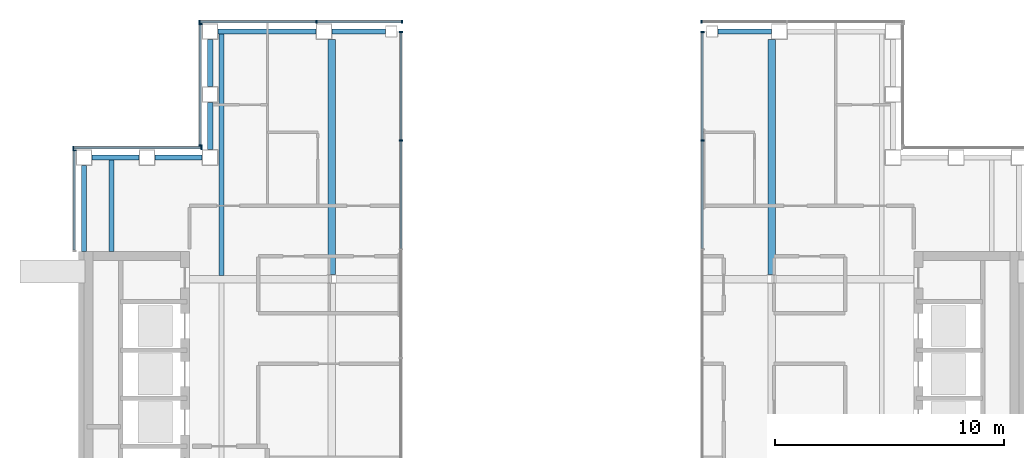
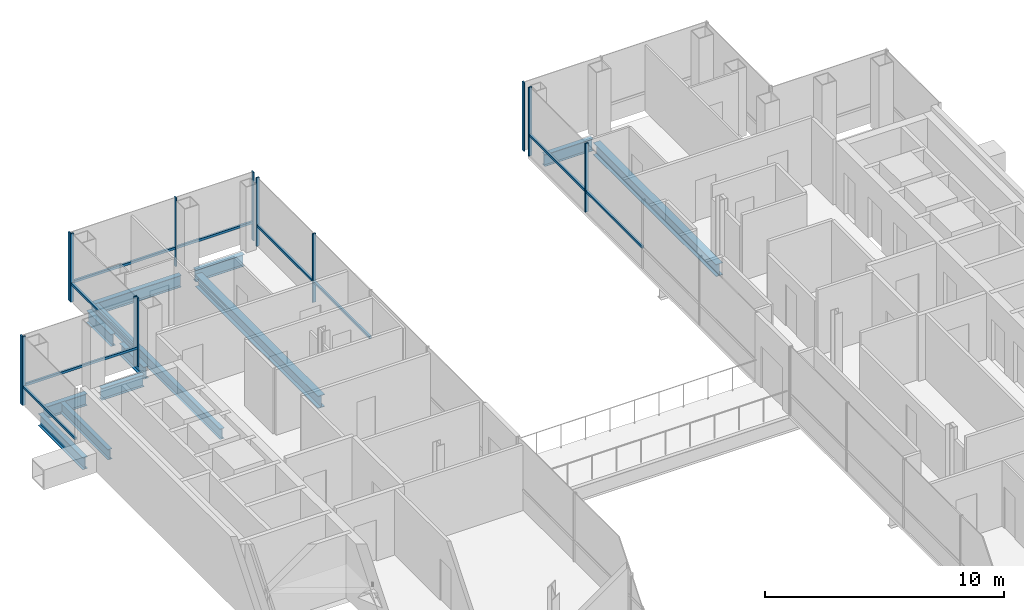
# One storey, part 8 of 16: 22 members, 12 beams, 7 elements without a shape of their own.
"""IFC4 building model written with IfcOpenShell, lengths in metres."""

import ifcopenshell
import ifcopenshell.guid

model = None  # the IFC model being written
_history = None  # IfcOwnerHistory: only IFC2X3 demands one
_inside = {}  # id of a spatial element -> (the spatial element, [elements in it])
_under = {}  # id of a project, library or spatial element -> (it, [spatial elements below it])
_declared = {}  # id of a project -> (the project, [libraries it declares])
_typed = {}  # id of a type object -> (the type object, [elements of that type])
_made_of = {}  # id of a material, layer set ... -> (it, [elements and type objects made of it])


def new_model(schema):
    """Start an empty IFC model of exactly this schema.

    Asked for "IFC4X3", IfcOpenShell would pick the latest addendum, in which some entities
    have other attributes; the version numbers below select the first issue.
    IFC2X3 requires an IfcOwnerHistory on every rooted entity: one is made here for all.
    """
    global model, _history
    if schema == "IFC4X3":
        model = ifcopenshell.file(schema_version=(4, 3, 0, 0))
    else:
        model = ifcopenshell.file(schema=schema)
    _inside.clear()
    _under.clear()
    _declared.clear()
    _typed.clear()
    _made_of.clear()
    _history = None
    if model.schema == "IFC2X3":
        org = make("IfcOrganization", Name="unknown")
        user = make(
            "IfcPersonAndOrganization",
            ThePerson=make("IfcPerson", FamilyName="unknown"),
            TheOrganization=org,
        )
        app = make(
            "IfcApplication",
            ApplicationDeveloper=org,
            Version="unknown",
            ApplicationFullName="unknown",
            ApplicationIdentifier="unknown",
        )
        _history = make(
            "IfcOwnerHistory",
            OwningUser=user,
            OwningApplication=app,
            ChangeAction="ADDED",
            CreationDate=0,
        )
    return model


def make(cls, **values):
    """One entity of the class cls with the attributes given. An attribute that is None is left unset."""
    return model.create_entity(
        cls, **{name: value for name, value in values.items() if value is not None}
    )


def rooted(cls, **values):
    """An entity with a GlobalId (a new one), such as an element, a storey or a relation."""
    return make(cls, GlobalId=ifcopenshell.guid.new(), OwnerHistory=_history, **values)


def si_unit(unit_type, name, prefix=None):
    """IfcSIUnit, for example si_unit("LENGTHUNIT", "METRE", prefix="MILLI")."""
    return make("IfcSIUnit", UnitType=unit_type, Prefix=prefix, Name=name)


def assignment(units):
    """IfcUnitAssignment: the units of a project."""
    return None if units is None else make("IfcUnitAssignment", Units=units)


def point(xyz):
    """IfcCartesianPoint."""
    return None if xyz is None else make("IfcCartesianPoint", Coordinates=xyz)


def direction(xyz):
    """IfcDirection."""
    return None if xyz is None else make("IfcDirection", DirectionRatios=xyz)


def frame(location, z_axis=None, x_axis=None):
    """IfcAxis2Placement3D, a coordinate frame: its origin and axes. An axis left out is left unset."""
    return make(
        "IfcAxis2Placement3D",
        Location=point(location),
        Axis=direction(z_axis),
        RefDirection=direction(x_axis),
    )


def frame_2d(location, x_axis=None):
    """IfcAxis2Placement2D, a coordinate frame in the plane: its origin and x axis."""
    return make(
        "IfcAxis2Placement2D", Location=point(location), RefDirection=direction(x_axis)
    )


def origin():
    """The frame at (0, 0, 0) with its axes left unset."""
    return frame((0.0, 0.0, 0.0))


def origin_2d():
    """The frame at (0, 0) in the plane with its x axis left unset."""
    return frame_2d((0.0, 0.0))


def place(relative_to, where):
    """IfcLocalPlacement: puts the frame where relative to a parent placement (None: the world)."""
    return make(
        "IfcLocalPlacement", PlacementRelTo=relative_to, RelativePlacement=where
    )


def context(
    kind, dimensions, precision=None, world=None, true_north=None, identifier=None
):
    """IfcGeometricRepresentationContext, for example the 3D "Model" context."""
    return make(
        "IfcGeometricRepresentationContext",
        ContextIdentifier=identifier,
        ContextType=kind,
        CoordinateSpaceDimension=dimensions,
        Precision=precision,
        WorldCoordinateSystem=world,
        TrueNorth=true_north,
    )


def subcontext(parent, identifier, kind, view, scale=None):
    """IfcGeometricRepresentationSubContext, for example "Body" below "Model"."""
    return make(
        "IfcGeometricRepresentationSubContext",
        ContextIdentifier=identifier,
        ContextType=kind,
        ParentContext=parent,
        TargetScale=scale,
        TargetView=view,
    )


def project(units=None, contexts=None):
    """IfcProject with its units and contexts."""
    return rooted(
        "IfcProject",
        Name="project",
        RepresentationContexts=contexts,
        UnitsInContext=assignment(units),
    )


def spatial(cls, under=None, at=None, **own):
    """A site, building, storey or space (cls), placed at a placement, below another one or the project."""
    s = rooted(cls, ObjectPlacement=at, **own)
    if under is not None:
        _under.setdefault(under.id(), (under, []))[1].append(s)
    return s


def profile(cls, at=None, kind="AREA", **sizes):
    """A parametric profile (cls). Its sizes go by their IFC names, for example OverallWidth=200.0."""
    return make(cls, ProfileType=kind, Position=at, **sizes)


def rectangle(**sizes):
    """IfcRectangleProfileDef."""
    return profile("IfcRectangleProfileDef", **sizes)


def i_section(**sizes):
    """IfcIShapeProfileDef."""
    return profile("IfcIShapeProfileDef", **sizes)


def extrude(swept, where, along, depth):
    """IfcExtrudedAreaSolid: the profile swept, set in the frame where, extruded along a direction by depth."""
    return make(
        "IfcExtrudedAreaSolid",
        SweptArea=swept,
        Position=where,
        ExtrudedDirection=direction(along),
        Depth=depth,
    )


def shape(context_of_items, identifier, shape_type, items):
    """IfcShapeRepresentation: the items that make up one representation, for example the "Body"."""
    return make(
        "IfcShapeRepresentation",
        ContextOfItems=context_of_items,
        RepresentationIdentifier=identifier,
        RepresentationType=shape_type,
        Items=items,
    )


def material(Name=None, Category=None):
    """IfcMaterial."""
    return make("IfcMaterial", Name=Name, Category=Category)


def material_profile(
    of_material, cross_section, Name=None, Category=None, Priority=None
):
    """IfcMaterialProfile: a cross section and its material."""
    return make(
        "IfcMaterialProfile",
        Name=Name,
        Material=of_material,
        Profile=cross_section,
        Priority=Priority,
        Category=Category,
    )


def profile_set(profiles, Name=None, composite=None):
    """IfcMaterialProfileSet."""
    return make(
        "IfcMaterialProfileSet",
        Name=Name,
        MaterialProfiles=profiles,
        CompositeProfile=composite,
    )


def made_of(thing, what):
    """Note that an element or type object is made of a material, layer set ...; save() writes the relation."""
    if what is not None:
        _made_of.setdefault(what.id(), (what, []))[1].append(thing)
    return thing


def type_object(cls, material=None, **own):
    """A type object (cls), such as IfcWallType, which elements share."""
    return made_of(rooted(cls, **own), material)


def element(
    cls,
    number,
    at=None,
    inside=None,
    cuts=None,
    type_object=None,
    material=None,
    context=None,
    identifier="Body",
    shape_type=None,
    held_by="IfcProductDefinitionShape",
    body=None,
    shapes=None,
    **own,
):
    """One element of the class cls, such as IfcWall. Its Tag is "e" and its number.

    at: its placement. inside: the storey or other place that contains it. cuts: it is an
    opening in that element (IfcRelVoidsElement). A single representation is given by context,
    identifier, shape_type and body (its items); several are given by shapes. held_by: the class
    of the entity that holds the representations. save() writes the other relations.
    """
    e = rooted(cls, Tag="e%d" % number, ObjectPlacement=at, **own)
    if body is not None:
        shapes = [shape(context, identifier, shape_type, body)]
    if shapes is not None:
        e.Representation = make(held_by, Representations=shapes)
    if inside is not None:
        _inside.setdefault(inside.id(), (inside, []))[1].append(e)
    if cuts is not None:
        rooted(
            "IfcRelVoidsElement", RelatingBuildingElement=cuts, RelatedOpeningElement=e
        )
    if type_object is not None:
        _typed.setdefault(type_object.id(), (type_object, []))[1].append(e)
    return made_of(e, material)


def aggregate(whole, parts):
    """IfcRelAggregates: a whole, such as a stair, and the parts it consists of."""
    return rooted("IfcRelAggregates", RelatingObject=whole, RelatedObjects=parts)


def save(model, path):
    """Write the relations noted so far, then the file.

    IfcRelAggregates (storeys below a building ...), IfcRelContainedInSpatialStructure (elements
    in a storey), IfcRelDefinesByType, IfcRelAssociatesMaterial and IfcRelDeclares: one each for
    every whole, place, type object, material and project.
    """
    for whole, parts in _under.values():
        aggregate(whole, parts)
    for where, things in _inside.values():
        rooted(
            "IfcRelContainedInSpatialStructure",
            RelatedElements=things,
            RelatingStructure=where,
        )
    for kind, things in _typed.values():
        rooted("IfcRelDefinesByType", RelatedObjects=things, RelatingType=kind)
    for what, things in _made_of.values():
        rooted("IfcRelAssociatesMaterial", RelatedObjects=things, RelatingMaterial=what)
    for by, libraries in _declared.values():
        rooted("IfcRelDeclares", RelatingContext=by, RelatedDefinitions=libraries)
    model.write(path)


model = new_model("IFC4")

# Units and contexts
model_context = context("Model", 3, precision=1e-05, world=origin(), true_north=direction((0.0, 1.0)))
body_context = subcontext(model_context, "Body", "Model", "MODEL_VIEW")
ifc_project = project(units=[si_unit("LENGTHUNIT", "METRE"), si_unit("AREAUNIT", "SQUARE_METRE"), si_unit("VOLUMEUNIT", "CUBIC_METRE"), si_unit("PLANEANGLEUNIT", "RADIAN"), si_unit("MASSUNIT", "GRAM", prefix="KILO")], contexts=[model_context])

# Site, building, storey
site_placement = place(None, origin())
site = spatial("IfcSite", under=ifc_project, at=site_placement, CompositionType="ELEMENT")
building_placement = place(site_placement, origin())
building = spatial("IfcBuilding", under=site, at=building_placement, Name="Cobrizo Arcos Hotel Tower", CompositionType="ELEMENT")
storey_placement = place(building_placement, frame((0.0, 0.0, 229.5)))
storey = spatial("IfcBuildingStorey", under=building, at=storey_placement, Name="L60", CompositionType="ELEMENT", Elevation=229.5)

# Curtain wall, member
ifc_material_1 = material(Name="Aluminium 6063-T6 anodised bronze", Category="aluminium")
curtain_wall_type_1 = type_object("IfcCurtainWallType", Name="CW-A guest facade", PredefinedType="NOTDEFINED", material=ifc_material_1)
curtain_wall_1_placement = place(storey_placement, origin())
curtain_wall_1 = element("IfcCurtainWall", 1, at=curtain_wall_1_placement, inside=storey, type_object=curtain_wall_type_1, Name="CW-A L60 N face", PredefinedType="NOTDEFINED")
ifc_material_profile_1 = material_profile(ifc_material_1, rectangle(XDim=0.14990234375, YDim=0.06005859375, at=origin_2d()), Name="CW-A mullion 150x60")
ifc_profile_set_1 = profile_set([ifc_material_profile_1], Name="Aluminium 6063-T6 anodised bronze")
member_type_1 = type_object("IfcMemberType", Name="CW-A mullion 150x60", PredefinedType="MULLION", material=ifc_profile_set_1)
member_1_placement = place(storey_placement, frame((6.530029296875, 20.824951171875, 0.0), z_axis=(0.0, 0.0, 1.0), x_axis=(0.0, 1.0, 0.0)))
member_1 = element("IfcMember", 2, at=member_1_placement, type_object=member_type_1, Name="CW-A mullion 3", PredefinedType="MULLION", context=body_context, shape_type="SweptSolid", body=[
    extrude(rectangle(XDim=0.14990234375, YDim=0.06005859375, at=origin_2d()), origin(), (0.0, 0.0, 1.0), 3.5),
])
aggregate(curtain_wall_1, [member_1])

# Curtain wall, members
curtain_wall_2_placement = place(storey_placement, origin())
curtain_wall_2 = element("IfcCurtainWall", 3, at=curtain_wall_2_placement, inside=storey, type_object=curtain_wall_type_1, Name="CW-A L60 N face", PredefinedType="NOTDEFINED")
member_2_placement = place(storey_placement, frame((-6.530029296875, 20.824951171875, 0.0), z_axis=(0.0, 0.0, 1.0), x_axis=(0.0, 1.0, 0.0)))
member_2 = element("IfcMember", 4, at=member_2_placement, type_object=member_type_1, Name="CW-A mullion 1", PredefinedType="MULLION", context=body_context, shape_type="SweptSolid", body=[
    extrude(rectangle(XDim=0.14990234375, YDim=0.06005859375, at=origin_2d()), origin(), (0.0, 0.0, 1.0), 3.5),
])
member_3_placement = place(storey_placement, frame((-10.2666015625, 20.824951171875, 0.0), z_axis=(0.0, 0.0, 1.0), x_axis=(0.0, 1.0, 0.0)))
member_3 = element("IfcMember", 5, at=member_3_placement, type_object=member_type_1, Name="CW-A mullion 2", PredefinedType="MULLION", context=body_context, shape_type="SweptSolid", body=[
    extrude(rectangle(XDim=0.14990234375, YDim=0.06005859375, at=origin_2d()), origin(), (0.0, 0.0, 1.0), 3.5),
])
member_4_placement = place(storey_placement, frame((-15.3701171875, 20.824951171875, 0.0), z_axis=(0.0, 0.0, 1.0), x_axis=(0.0, 1.0, 0.0)))
member_4 = element("IfcMember", 6, at=member_4_placement, type_object=member_type_1, Name="CW-A mullion 3", PredefinedType="MULLION", context=body_context, shape_type="SweptSolid", body=[
    extrude(rectangle(XDim=0.14990234375, YDim=0.06005859375, at=origin_2d()), origin(), (0.0, 0.0, 1.0), 3.5),
])

curtain_wall_3_placement = place(storey_placement, origin())
curtain_wall_3 = element("IfcCurtainWall", 7, at=curtain_wall_3_placement, inside=storey, type_object=curtain_wall_type_1, Name="CW-A L60 W face", PredefinedType="NOTDEFINED")
member_5_placement = place(storey_placement, frame((-15.324951171875, 20.719970703125, 0.0), z_axis=(0.0, 0.0, 1.0), x_axis=(-1.0, 0.0, 0.0)))
member_5 = element("IfcMember", 8, at=member_5_placement, type_object=member_type_1, Name="CW-A mullion 1", PredefinedType="MULLION", context=body_context, shape_type="SweptSolid", body=[
    extrude(rectangle(XDim=0.14990234375, YDim=0.06005859375, at=origin_2d()), origin(), (0.0, 0.0, 1.0), 3.5),
])
member_6_placement = place(storey_placement, frame((-15.324951171875, 15.429931640625, 0.0), z_axis=(0.0, 0.0, 1.0), x_axis=(-1.0, 0.0, 0.0)))
member_6 = element("IfcMember", 9, at=member_6_placement, type_object=member_type_1, Name="CW-A mullion 2", PredefinedType="MULLION", context=body_context, shape_type="SweptSolid", body=[
    extrude(rectangle(XDim=0.14990234375, YDim=0.06005859375, at=origin_2d()), origin(), (0.0, 0.0, 1.0), 3.5),
])

curtain_wall_4_placement = place(storey_placement, origin())
curtain_wall_4 = element("IfcCurtainWall", 10, at=curtain_wall_4_placement, inside=storey, type_object=curtain_wall_type_1, Name="CW-A L60 N face", PredefinedType="NOTDEFINED")
member_7_placement = place(storey_placement, frame((-15.280029296875, 15.324951171875, 0.0), z_axis=(0.0, 0.0, 1.0), x_axis=(0.0, 1.0, 0.0)))
member_7 = element("IfcMember", 11, at=member_7_placement, type_object=member_type_1, Name="CW-A mullion 1", PredefinedType="MULLION", context=body_context, shape_type="SweptSolid", body=[
    extrude(rectangle(XDim=0.14990234375, YDim=0.06005859375, at=origin_2d()), origin(), (0.0, 0.0, 1.0), 3.5),
])
member_8_placement = place(storey_placement, frame((-20.8701171875, 15.324951171875, 0.0), z_axis=(0.0, 0.0, 1.0), x_axis=(0.0, 1.0, 0.0)))
member_8 = element("IfcMember", 12, at=member_8_placement, type_object=member_type_1, Name="CW-A mullion 2", PredefinedType="MULLION", context=body_context, shape_type="SweptSolid", body=[
    extrude(rectangle(XDim=0.14990234375, YDim=0.06005859375, at=origin_2d()), origin(), (0.0, 0.0, 1.0), 3.5),
])

# Curtain wall, member
curtain_wall_5_placement = place(storey_placement, origin())
curtain_wall_5 = element("IfcCurtainWall", 13, at=curtain_wall_5_placement, inside=storey, type_object=curtain_wall_type_1, Name="CW-A L60 W face", PredefinedType="NOTDEFINED")
member_9_placement = place(storey_placement, frame((-20.824951171875, 15.219970703125, 0.0), z_axis=(0.0, 0.0, 1.0), x_axis=(-1.0, 0.0, 0.0)))
member_9 = element("IfcMember", 14, at=member_9_placement, type_object=member_type_1, Name="CW-A mullion 1", PredefinedType="MULLION", context=body_context, shape_type="SweptSolid", body=[
    extrude(rectangle(XDim=0.14990234375, YDim=0.06005859375, at=origin_2d()), origin(), (0.0, 0.0, 1.0), 3.5),
])

# Member
ifc_material_profile_2 = material_profile(ifc_material_1, rectangle(XDim=0.10009765625, YDim=0.1201171875, at=origin_2d()), Name="CW-A transom 120x100")
ifc_profile_set_2 = profile_set([ifc_material_profile_2], Name="Aluminium 6063-T6 anodised bronze")
member_type_2 = type_object("IfcMemberType", Name="CW-A transom 120x100", PredefinedType="USERDEFINED", material=ifc_profile_set_2)
member_10_placement = place(storey_placement, frame((-6.56005859375, 20.824951171875, 0.929931640625), z_axis=(-1.0, 0.0, 0.0), x_axis=(0.0, -1.0, 0.0)))
member_10 = element("IfcMember", 15, at=member_10_placement, type_object=member_type_2, Name="CW-A transom 1960", ObjectType="TRANSOM", PredefinedType="USERDEFINED", context=body_context, shape_type="SweptSolid", body=[
    extrude(rectangle(XDim=0.10009765625, YDim=0.1201171875, at=origin_2d()), origin(), (0.0, 0.0, 1.0), 3.676513671875),
])

member_11_placement = place(storey_placement, frame((-10.296630859375, 20.824951171875, 0.929931640625), z_axis=(-1.0, 0.0, 0.0), x_axis=(0.0, -1.0, 0.0)))
member_11 = element("IfcMember", 16, at=member_11_placement, type_object=member_type_2, Name="CW-A transom 1961", ObjectType="TRANSOM", PredefinedType="USERDEFINED", context=body_context, shape_type="SweptSolid", body=[
    extrude(rectangle(XDim=0.10009765625, YDim=0.1201171875, at=origin_2d()), origin(), (0.0, 0.0, 1.0), 5.04345703125),
])

aggregate(curtain_wall_2, [member_2, member_3, member_4, member_10, member_11])

member_12_placement = place(storey_placement, frame((-15.324951171875, 20.68994140625, 0.929931640625), z_axis=(0.0, -1.0, 0.0), x_axis=(1.0, 0.0, 0.0)))
member_12 = element("IfcMember", 17, at=member_12_placement, type_object=member_type_2, Name="CW-A transom 1962", ObjectType="TRANSOM", PredefinedType="USERDEFINED", context=body_context, shape_type="SweptSolid", body=[
    extrude(rectangle(XDim=0.10009765625, YDim=0.1201171875, at=origin_2d()), origin(), (0.0, 0.0, 1.0), 5.22998046875),
])

aggregate(curtain_wall_3, [member_5, member_6, member_12])

member_13_placement = place(storey_placement, frame((-15.31005859375, 15.324951171875, 0.929931640625), z_axis=(-1.0, 0.0, 0.0), x_axis=(0.0, -1.0, 0.0)))
member_13 = element("IfcMember", 18, at=member_13_placement, type_object=member_type_2, Name="CW-A transom 1963", ObjectType="TRANSOM", PredefinedType="USERDEFINED", context=body_context, shape_type="SweptSolid", body=[
    extrude(rectangle(XDim=0.10009765625, YDim=0.1201171875, at=origin_2d()), origin(), (0.0, 0.0, 1.0), 5.530029296875),
])

aggregate(curtain_wall_4, [member_7, member_8, member_13])

member_14_placement = place(storey_placement, frame((-20.824951171875, 15.18994140625, 0.929931640625), z_axis=(0.0, -1.0, 0.0), x_axis=(1.0, 0.0, 0.0)))
member_14 = element("IfcMember", 19, at=member_14_placement, type_object=member_type_2, Name="CW-A transom 1964", ObjectType="TRANSOM", PredefinedType="USERDEFINED", context=body_context, shape_type="SweptSolid", body=[
    extrude(rectangle(XDim=0.10009765625, YDim=0.1201171875, at=origin_2d()), origin(), (0.0, 0.0, 1.0), 4.329833984375),
])

aggregate(curtain_wall_5, [member_9, member_14])

# Curtain wall, members
curtain_wall_type_2 = type_object("IfcCurtainWallType", Name="CW-F void screen", PredefinedType="NOTDEFINED", material=ifc_material_1)
curtain_wall_6_placement = place(storey_placement, origin())
curtain_wall_6 = element("IfcCurtainWall", 20, at=curtain_wall_6_placement, inside=storey, type_object=curtain_wall_type_2, Name="CW-F L60 void screen C", PredefinedType="NOTDEFINED")
ifc_material_profile_3 = material_profile(ifc_material_1, rectangle(XDim=0.14990234375, YDim=0.06005859375, at=origin_2d()), Name="CW-F mullion 150x60")
ifc_profile_set_3 = profile_set([ifc_material_profile_3], Name="Aluminium 6063-T6 anodised bronze")
member_type_3 = type_object("IfcMemberType", Name="CW-F mullion 150x60", PredefinedType="MULLION", material=ifc_profile_set_3)
member_15_placement = place(storey_placement, frame((6.574951171875, 15.64990234375, 0.0), z_axis=(0.0, 0.0, 1.0), x_axis=(1.0, 0.0, 0.0)))
member_15 = element("IfcMember", 21, at=member_15_placement, type_object=member_type_3, Name="CW-F mullion 4", PredefinedType="MULLION", context=body_context, shape_type="SweptSolid", body=[
    extrude(rectangle(XDim=0.14990234375, YDim=0.06005859375, at=origin_2d()), origin(), (0.0, 0.0, 1.0), 3.5),
])
member_16_placement = place(storey_placement, frame((6.574951171875, 20.3701171875, 0.0), z_axis=(0.0, 0.0, 1.0), x_axis=(1.0, 0.0, 0.0)))
member_16 = element("IfcMember", 22, at=member_16_placement, type_object=member_type_3, Name="CW-F mullion 5", PredefinedType="MULLION", context=body_context, shape_type="SweptSolid", body=[
    extrude(rectangle(XDim=0.14990234375, YDim=0.06005859375, at=origin_2d()), origin(), (0.0, 0.0, 1.0), 3.5),
])

curtain_wall_7_placement = place(storey_placement, origin())
curtain_wall_7 = element("IfcCurtainWall", 23, at=curtain_wall_7_placement, inside=storey, type_object=curtain_wall_type_2, Name="CW-F L60 void screen C", PredefinedType="NOTDEFINED")
member_17_placement = place(storey_placement, frame((-6.574951171875, 20.3701171875, 0.0), z_axis=(0.0, 0.0, 1.0), x_axis=(-1.0, 0.0, 0.0)))
member_17 = element("IfcMember", 24, at=member_17_placement, type_object=member_type_3, Name="CW-F mullion 1", PredefinedType="MULLION", context=body_context, shape_type="SweptSolid", body=[
    extrude(rectangle(XDim=0.14990234375, YDim=0.06005859375, at=origin_2d()), origin(), (0.0, 0.0, 1.0), 3.5),
])
member_18_placement = place(storey_placement, frame((-6.574951171875, 15.64990234375, 0.0), z_axis=(0.0, 0.0, 1.0), x_axis=(-1.0, 0.0, 0.0)))
member_18 = element("IfcMember", 25, at=member_18_placement, type_object=member_type_3, Name="CW-F mullion 2", PredefinedType="MULLION", context=body_context, shape_type="SweptSolid", body=[
    extrude(rectangle(XDim=0.14990234375, YDim=0.06005859375, at=origin_2d()), origin(), (0.0, 0.0, 1.0), 3.5),
])

# Member
ifc_material_profile_4 = material_profile(ifc_material_1, rectangle(XDim=0.10009765625, YDim=0.1201171875, at=origin_2d()), Name="CW-F transom 120x100")
ifc_profile_set_4 = profile_set([ifc_material_profile_4], Name="Aluminium 6063-T6 anodised bronze")
member_type_4 = type_object("IfcMemberType", Name="CW-F transom 120x100", PredefinedType="USERDEFINED", material=ifc_profile_set_4)
member_19_placement = place(storey_placement, frame((6.574951171875, 10.929931640625, 1.050048828125), z_axis=(0.0, 1.0, 0.0), x_axis=(-1.0, 0.0, 0.0)))
member_19 = element("IfcMember", 26, at=member_19_placement, type_object=member_type_4, Name="CW-F transom 2738", ObjectType="TRANSOM", PredefinedType="USERDEFINED", context=body_context, shape_type="SweptSolid", body=[
    extrude(rectangle(XDim=0.10009765625, YDim=0.1201171875, at=origin_2d()), origin(), (0.0, 0.0, 1.0), 4.690185546875),
])

member_20_placement = place(storey_placement, frame((6.574951171875, 15.679931640625, 1.050048828125), z_axis=(0.0, 1.0, 0.0), x_axis=(-1.0, 0.0, 0.0)))
member_20 = element("IfcMember", 27, at=member_20_placement, type_object=member_type_4, Name="CW-F transom 2739", ObjectType="TRANSOM", PredefinedType="USERDEFINED", context=body_context, shape_type="SweptSolid", body=[
    extrude(rectangle(XDim=0.10009765625, YDim=0.1201171875, at=origin_2d()), origin(), (0.0, 0.0, 1.0), 4.66015625),
])

aggregate(curtain_wall_6, [member_15, member_16, member_19, member_20])

member_21_placement = place(storey_placement, frame((-6.574951171875, 20.340087890625, 1.050048828125), z_axis=(0.0, -1.0, 0.0), x_axis=(1.0, 0.0, 0.0)))
member_21 = element("IfcMember", 28, at=member_21_placement, type_object=member_type_4, Name="CW-F transom 2740", ObjectType="TRANSOM", PredefinedType="USERDEFINED", context=body_context, shape_type="SweptSolid", body=[
    extrude(rectangle(XDim=0.10009765625, YDim=0.1201171875, at=origin_2d()), origin(), (0.0, 0.0, 1.0), 4.66015625),
])

member_22_placement = place(storey_placement, frame((-6.574951171875, 15.6201171875, 1.050048828125), z_axis=(0.0, -1.0, 0.0), x_axis=(1.0, 0.0, 0.0)))
member_22 = element("IfcMember", 29, at=member_22_placement, type_object=member_type_4, Name="CW-F transom 2741", ObjectType="TRANSOM", PredefinedType="USERDEFINED", context=body_context, shape_type="SweptSolid", body=[
    extrude(rectangle(XDim=0.10009765625, YDim=0.1201171875, at=origin_2d()), origin(), (0.0, 0.0, 1.0), 4.690185546875),
])

aggregate(curtain_wall_7, [member_17, member_18, member_21, member_22])

# Beams
ifc_material_2 = material(Name="Steel ASTM A992 Grade 50", Category="steel")
ifc_material_profile_5 = material_profile(ifc_material_2, i_section(OverallWidth=0.209228515625, OverallDepth=0.533447265625, WebThickness=0.01025390625, FlangeThickness=0.015625, at=origin_2d()), Name="W21X62")
ifc_profile_set_5 = profile_set([ifc_material_profile_5], Name="Steel ASTM A992 Grade 50")
beam_type_1 = type_object("IfcBeamType", Name="W21X62 joist", PredefinedType="JOIST", material=ifc_profile_set_5)
beam_1_placement = place(storey_placement, frame((-19.199951171875, 10.81005859375, -0.416748046875), z_axis=(0.0, 1.0, 0.0), x_axis=(-1.0, 0.0, 0.0)))
element("IfcBeam", 30, at=beam_1_placement, inside=storey, type_object=beam_type_1, Name="Floor joist J1, L60, no. 002", PredefinedType="JOIST", context=body_context, shape_type="SweptSolid", body=[
    extrude(i_section(OverallWidth=0.209228515625, OverallDepth=0.533447265625, WebThickness=0.01025390625, FlangeThickness=0.015625, at=origin_2d()), origin(), (0.0, 0.0, 1.0), 4.0),
])
beam_2_placement = place(storey_placement, frame((-14.39990234375, 9.763916015625, -0.416748046875), z_axis=(0.0, 1.0, 0.0), x_axis=(-1.0, 0.0, 0.0)))
element("IfcBeam", 31, at=beam_2_placement, inside=storey, type_object=beam_type_1, Name="Floor joist J1, L60, no. 006", PredefinedType="JOIST", context=body_context, shape_type="SweptSolid", body=[
    extrude(i_section(OverallWidth=0.209228515625, OverallDepth=0.533447265625, WebThickness=0.01025390625, FlangeThickness=0.015625, at=origin_2d()), origin(), (0.0, 0.0, 1.0), 10.546142578125),
])
ifc_material_profile_6 = material_profile(ifc_material_2, i_section(OverallWidth=0.32763671875, OverallDepth=0.622314453125, WebThickness=0.015380859375, FlangeThickness=0.0244140625, at=origin_2d()), Name="W24X131")
ifc_profile_set_6 = profile_set([ifc_material_profile_6], Name="Steel ASTM A992 Grade 50")
beam_type_2 = type_object("IfcBeamType", Name="W24X131 girder", PredefinedType="BEAM", material=ifc_profile_set_6)
for number, where, z_axis, x_axis, name in (
    (32, (-9.60009765625, 9.78662109375, -0.461181640625), (0.0, 1.0, 0.0), (-1.0, 0.0, 0.0), "Floor girder G1, L60, no. 015"),
    (33, (9.60009765625, 9.78662109375, -0.461181640625), (0.0, 1.0, 0.0), (-1.0, 0.0, 0.0), "Floor girder G1, L60, no. 019"),
):
    element("IfcBeam", number, at=place(storey_placement, frame(where, z_axis=z_axis, x_axis=x_axis)), inside=storey, type_object=beam_type_2, Name=name, PredefinedType="BEAM", context=body_context, shape_type="SweptSolid", body=[
        extrude(i_section(OverallWidth=0.32763671875, OverallDepth=0.622314453125, WebThickness=0.015380859375, FlangeThickness=0.0244140625, at=origin_2d()), origin(), (0.0, 0.0, 1.0), 10.263427734375),
    ])
ifc_material_profile_7 = material_profile(ifc_material_2, i_section(OverallWidth=0.228271484375, OverallDepth=0.607177734375, WebThickness=0.01123046875, FlangeThickness=0.017333984375, at=origin_2d()), Name="W24X76")
ifc_profile_set_7 = profile_set([ifc_material_profile_7], Name="Steel ASTM A992 Grade 50")
beam_type_3 = type_object("IfcBeamType", Name="W24X76 spandrel", PredefinedType="SPANDREL", material=ifc_profile_set_7)
beam_3_placement = place(storey_placement, frame((-20.39990234375, 10.81005859375, -0.45361328125), z_axis=(0.0, 1.0, 0.0), x_axis=(-1.0, 0.0, 0.0)))
element("IfcBeam", 34, at=beam_3_placement, inside=storey, type_object=beam_type_3, Name="Spandrel beam W24X76, L60, no. 018", PredefinedType="SPANDREL", context=body_context, shape_type="SweptSolid", body=[
    extrude(i_section(OverallWidth=0.228271484375, OverallDepth=0.607177734375, WebThickness=0.01123046875, FlangeThickness=0.017333984375, at=origin_2d()), origin(), (0.0, 0.0, 1.0), 3.739990234375),
])
for number, where, z_axis, x_axis, name in (
    (35, (-20.050048828125, 14.89990234375, -0.45361328125), (1.0, 0.0, 0.0), (0.0, 1.0, 0.0), "Spandrel beam W24X76, L60, no. 019"),
    (36, (-17.300048828125, 14.89990234375, -0.45361328125), (1.0, 0.0, 0.0), (0.0, 1.0, 0.0), "Spandrel beam W24X76, L60, no. 020"),
    (37, (-14.89990234375, 15.25, -0.45361328125), (0.0, 1.0, 0.0), (-1.0, 0.0, 0.0), "Spandrel beam W24X76, L60, no. 021"),
    (38, (-14.89990234375, 18.0, -0.45361328125), (0.0, 1.0, 0.0), (-1.0, 0.0, 0.0), "Spandrel beam W24X76, L60, no. 022"),
):
    element("IfcBeam", number, at=place(storey_placement, frame(where, z_axis=z_axis, x_axis=x_axis)), inside=storey, type_object=beam_type_3, Name=name, PredefinedType="SPANDREL", context=body_context, shape_type="SweptSolid", body=[
        extrude(i_section(OverallWidth=0.228271484375, OverallDepth=0.607177734375, WebThickness=0.01123046875, FlangeThickness=0.017333984375, at=origin_2d()), origin(), (0.0, 0.0, 1.0), 2.050048828125),
    ])
beam_4_placement = place(storey_placement, frame((-14.550048828125, 20.39990234375, -0.45361328125), z_axis=(1.0, 0.0, 0.0), x_axis=(0.0, 1.0, 0.0)))
element("IfcBeam", 39, at=beam_4_placement, inside=storey, type_object=beam_type_3, Name="Spandrel beam W24X76, L60, no. 023", PredefinedType="SPANDREL", context=body_context, shape_type="SweptSolid", body=[
    extrude(i_section(OverallWidth=0.228271484375, OverallDepth=0.607177734375, WebThickness=0.01123046875, FlangeThickness=0.017333984375, at=origin_2d()), origin(), (0.0, 0.0, 1.0), 4.26708984375),
])
for number, where, z_axis, x_axis, name in (
    (40, (-9.5830078125, 20.39990234375, -0.45361328125), (1.0, 0.0, 0.0), (0.0, 1.0, 0.0), "Spandrel beam W24X76, L60, no. 024"),
    (41, (7.25, 20.39990234375, -0.45361328125), (1.0, 0.0, 0.0), (0.0, 1.0, 0.0), "Spandrel beam W24X76, L60, no. 025"),
):
    element("IfcBeam", number, at=place(storey_placement, frame(where, z_axis=z_axis, x_axis=x_axis)), inside=storey, type_object=beam_type_3, Name=name, PredefinedType="SPANDREL", context=body_context, shape_type="SweptSolid", body=[
        extrude(i_section(OverallWidth=0.228271484375, OverallDepth=0.607177734375, WebThickness=0.01123046875, FlangeThickness=0.017333984375, at=origin_2d()), origin(), (0.0, 0.0, 1.0), 2.3330078125),
    ])

save(model, "model.ifc")
